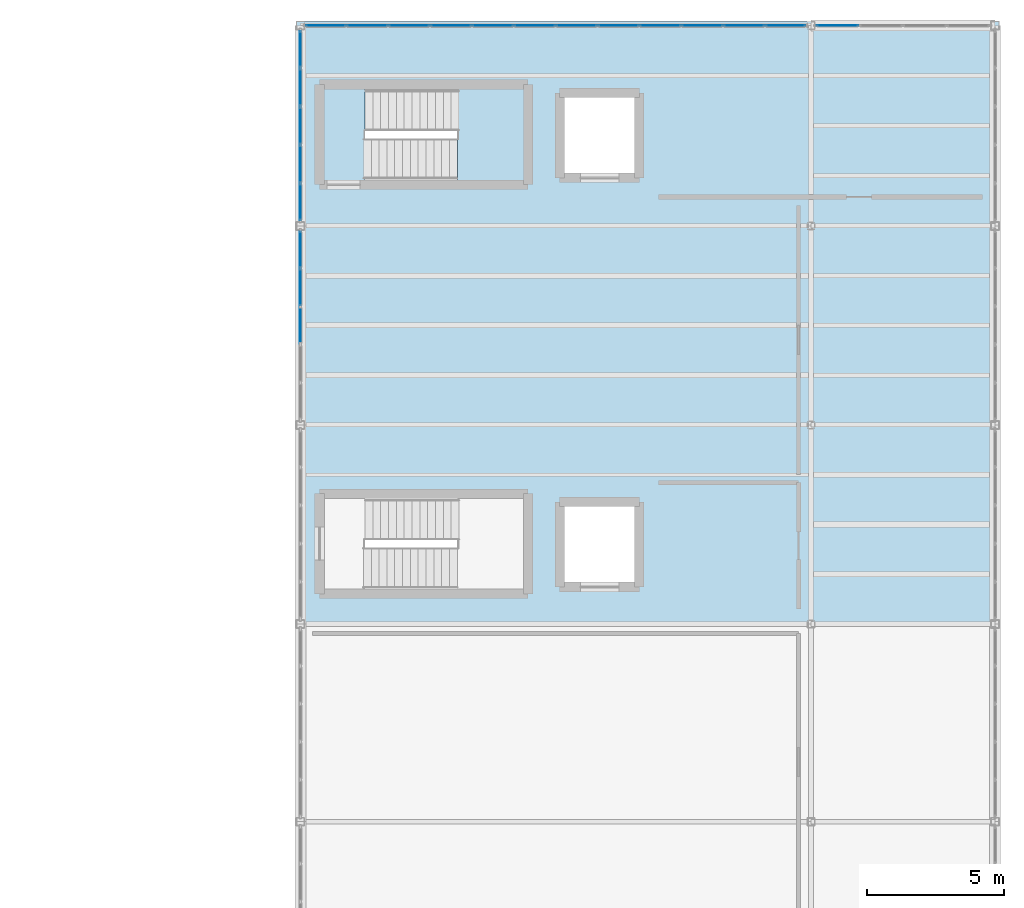
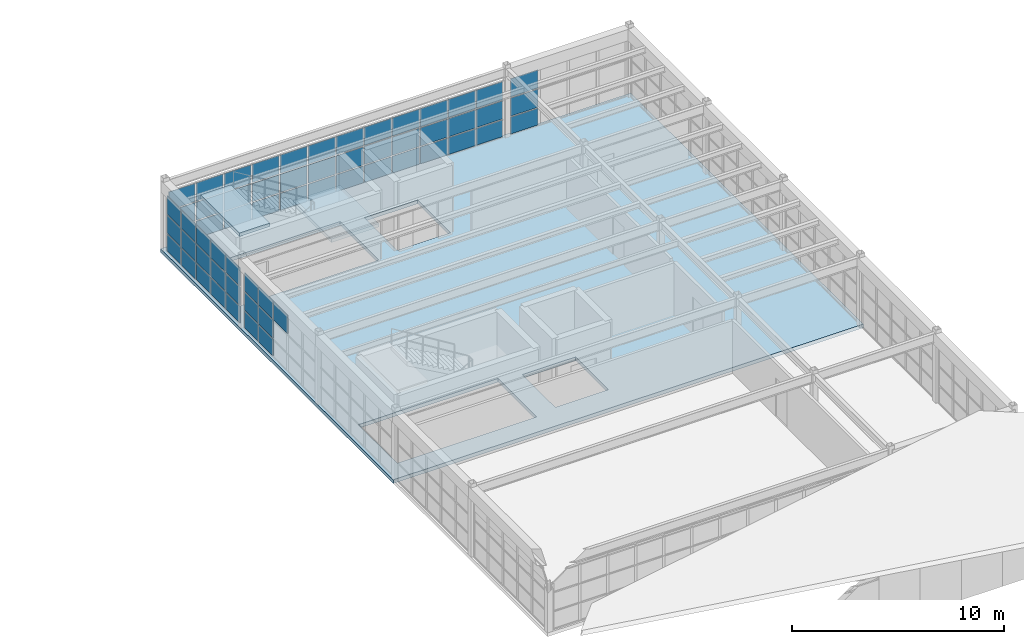
# One storey, part 40 of 52: 61 plates, 3 slabs, 5 elements without a shape of their own.
"""IFC4 building model written with IfcOpenShell, lengths in metres."""

from ifc_helpers import new_model, si_unit, direction, frame, origin, origin_2d, place, context, subcontext, project, spatial, polyline, rectangle, outline, extrude, material, layer, layer_set, type_object, element, aggregate, save


model = new_model("IFC4")

# Units and contexts
model_context = context("Model", 3, precision=1e-05, world=origin(), true_north=direction((0.0, 1.0)))
body_context = subcontext(model_context, "Body", "Model", "MODEL_VIEW")
ifc_project = project(units=[si_unit("LENGTHUNIT", "METRE"), si_unit("AREAUNIT", "SQUARE_METRE"), si_unit("VOLUMEUNIT", "CUBIC_METRE"), si_unit("PLANEANGLEUNIT", "RADIAN"), si_unit("MASSUNIT", "GRAM", prefix="KILO")], contexts=[model_context])

# Site, building, storey
site_placement = place(None, origin())
site = spatial("IfcSite", under=ifc_project, at=site_placement, CompositionType="ELEMENT")
building_placement = place(site_placement, origin())
building = spatial("IfcBuilding", under=site, at=building_placement, Name="Candilejo Ridge Gondola Terminal", CompositionType="ELEMENT")
storey_placement = place(building_placement, frame((0.0, 0.0, 18.60009765625)))
storey = spatial("IfcBuildingStorey", under=building, at=storey_placement, Name="L04", CompositionType="ELEMENT", Elevation=18.60009765625)

# Curtain wall, plates
ifc_material_1 = material(Name="Anodised aluminium AA 6063-T6", Category="aluminium")
ifc_layer_1 = layer(ifc_material_1, 0.169921875)
ifc_layer_set_1 = layer_set([ifc_layer_1], Name="ARC-CW-TOWER-3000-695X329")
curtain_wall_type_1 = type_object("IfcCurtainWallType", Name="ARC-CW-TOWER-3000-695X329", PredefinedType="NOTDEFINED", material=ifc_layer_set_1)
curtain_wall_1_placement = place(storey_placement, origin())
curtain_wall_1 = element("IfcCurtainWall", 1, at=curtain_wall_1_placement, inside=storey, type_object=curtain_wall_type_1, Name="Curtain wall V5 L04-218", PredefinedType="NOTDEFINED")
ifc_material_2 = material(Name="Low-E laminated double glazing 6+12A+6+1.52PVB+6 mm", Category="glass")
ifc_layer_2 = layer(ifc_material_2, 0.028076171875)
ifc_layer_set_2 = layer_set([ifc_layer_2], Name="ARC-CW-GLAZ-PANEL")
plate_type = type_object("IfcPlateType", Name="ARC-CW-GLAZ-PANEL", PredefinedType="CURTAIN_PANEL", material=ifc_layer_set_2)
plate_1_placement = place(storey_placement, frame((150.0, 109.925048828125, 2.1796875), z_axis=(0.0, 0.0, 1.0), x_axis=(0.0, 1.0, 0.0)))
plate_1 = element("IfcPlate", 2, at=plate_1_placement, type_object=plate_type, Name="CW-69X32 panel 3.3", PredefinedType="CURTAIN_PANEL", context=body_context, shape_type="SweptSolid", body=[
    extrude(rectangle(XDim=1.324951171875, YDim=0.028076171875, at=origin_2d()), origin(), (0.0, 0.0, 1.0), 1.050048828125),
])
plate_2_placement = place(storey_placement, frame((150.0, 111.31494140625, 0.059814453125), z_axis=(0.0, 0.0, 1.0), x_axis=(0.0, 1.0, 0.0)))
plate_2 = element("IfcPlate", 3, at=plate_2_placement, type_object=plate_type, Name="CW-69X32 panel 4.1", PredefinedType="CURTAIN_PANEL", context=body_context, shape_type="SweptSolid", body=[
    extrude(rectangle(XDim=1.324951171875, YDim=0.028076171875, at=origin_2d()), origin(), (0.0, 0.0, 1.0), 0.9599609375),
])
plate_3_placement = place(storey_placement, frame((150.0, 111.31494140625, 1.079833984375), z_axis=(0.0, 0.0, 1.0), x_axis=(0.0, 1.0, 0.0)))
plate_3 = element("IfcPlate", 4, at=plate_3_placement, type_object=plate_type, Name="CW-69X32 panel 4.2", PredefinedType="CURTAIN_PANEL", context=body_context, shape_type="SweptSolid", body=[
    extrude(rectangle(XDim=1.324951171875, YDim=0.028076171875, at=origin_2d()), origin(), (0.0, 0.0, 1.0), 1.0400390625),
])
plate_4_placement = place(storey_placement, frame((150.0, 111.31494140625, 2.1796875), z_axis=(0.0, 0.0, 1.0), x_axis=(0.0, 1.0, 0.0)))
plate_4 = element("IfcPlate", 5, at=plate_4_placement, type_object=plate_type, Name="CW-69X32 panel 4.3", PredefinedType="CURTAIN_PANEL", context=body_context, shape_type="SweptSolid", body=[
    extrude(rectangle(XDim=1.324951171875, YDim=0.028076171875, at=origin_2d()), origin(), (0.0, 0.0, 1.0), 1.050048828125),
])
plate_5_placement = place(storey_placement, frame((150.0, 112.688720703125, 0.059814453125), z_axis=(0.0, 0.0, 1.0), x_axis=(0.0, 1.0, 0.0)))
plate_5 = element("IfcPlate", 6, at=plate_5_placement, type_object=plate_type, Name="CW-69X32 panel 5.1", PredefinedType="CURTAIN_PANEL", context=body_context, shape_type="SweptSolid", body=[
    extrude(rectangle(XDim=1.29248046875, YDim=0.028076171875, at=origin_2d()), origin(), (0.0, 0.0, 1.0), 0.9599609375),
])
plate_6_placement = place(storey_placement, frame((150.0, 112.688720703125, 1.079833984375), z_axis=(0.0, 0.0, 1.0), x_axis=(0.0, 1.0, 0.0)))
plate_6 = element("IfcPlate", 7, at=plate_6_placement, type_object=plate_type, Name="CW-69X32 panel 5.2", PredefinedType="CURTAIN_PANEL", context=body_context, shape_type="SweptSolid", body=[
    extrude(rectangle(XDim=1.29248046875, YDim=0.028076171875, at=origin_2d()), origin(), (0.0, 0.0, 1.0), 1.0400390625),
])
plate_7_placement = place(storey_placement, frame((150.0, 112.688720703125, 2.1796875), z_axis=(0.0, 0.0, 1.0), x_axis=(0.0, 1.0, 0.0)))
plate_7 = element("IfcPlate", 8, at=plate_7_placement, type_object=plate_type, Name="CW-69X32 panel 5.3", PredefinedType="CURTAIN_PANEL", context=body_context, shape_type="SweptSolid", body=[
    extrude(rectangle(XDim=1.29248046875, YDim=0.028076171875, at=origin_2d()), origin(), (0.0, 0.0, 1.0), 1.050048828125),
])
aggregate(curtain_wall_1, [plate_1, plate_2, plate_3, plate_4, plate_5, plate_6, plate_7])

ifc_material_3 = material(Name="Anodised aluminium AA 6063-T6", Category="aluminium")
ifc_layer_3 = layer(ifc_material_3, 0.169921875)
ifc_layer_set_3 = layer_set([ifc_layer_3], Name="ARC-CW-TOWER-3000-700X329")
curtain_wall_type_2 = type_object("IfcCurtainWallType", Name="ARC-CW-TOWER-3000-700X329", PredefinedType="NOTDEFINED", material=ifc_layer_set_3)
curtain_wall_2_placement = place(storey_placement, origin())
curtain_wall_2 = element("IfcCurtainWall", 9, at=curtain_wall_2_placement, inside=storey, type_object=curtain_wall_type_2, Name="Curtain wall V5 L04-220", PredefinedType="NOTDEFINED")
plate_8_placement = place(storey_placement, frame((150.0, 114.416259765625, 0.059814453125), z_axis=(0.0, 0.0, 1.0), x_axis=(0.0, 1.0, 0.0)))
plate_8 = element("IfcPlate", 10, at=plate_8_placement, type_object=plate_type, Name="CW-70X32 panel 1.1", PredefinedType="CURTAIN_PANEL", context=body_context, shape_type="SweptSolid", body=[
    extrude(rectangle(XDim=1.302490234375, YDim=0.028076171875, at=origin_2d()), origin(), (0.0, 0.0, 1.0), 0.9599609375),
])
plate_9_placement = place(storey_placement, frame((150.0, 114.416259765625, 1.079833984375), z_axis=(0.0, 0.0, 1.0), x_axis=(0.0, 1.0, 0.0)))
plate_9 = element("IfcPlate", 11, at=plate_9_placement, type_object=plate_type, Name="CW-70X32 panel 1.2", PredefinedType="CURTAIN_PANEL", context=body_context, shape_type="SweptSolid", body=[
    extrude(rectangle(XDim=1.302490234375, YDim=0.028076171875, at=origin_2d()), origin(), (0.0, 0.0, 1.0), 1.0400390625),
])
plate_10_placement = place(storey_placement, frame((150.0, 114.416259765625, 2.1796875), z_axis=(0.0, 0.0, 1.0), x_axis=(0.0, 1.0, 0.0)))
plate_10 = element("IfcPlate", 12, at=plate_10_placement, type_object=plate_type, Name="CW-70X32 panel 1.3", PredefinedType="CURTAIN_PANEL", context=body_context, shape_type="SweptSolid", body=[
    extrude(rectangle(XDim=1.302490234375, YDim=0.028076171875, at=origin_2d()), origin(), (0.0, 0.0, 1.0), 1.050048828125),
])
plate_11_placement = place(storey_placement, frame((150.0, 115.800048828125, 0.059814453125), z_axis=(0.0, 0.0, 1.0), x_axis=(0.0, 1.0, 0.0)))
plate_11 = element("IfcPlate", 13, at=plate_11_placement, type_object=plate_type, Name="CW-70X32 panel 2.1", PredefinedType="CURTAIN_PANEL", context=body_context, shape_type="SweptSolid", body=[
    extrude(rectangle(XDim=1.3349609375, YDim=0.028076171875, at=origin_2d()), origin(), (0.0, 0.0, 1.0), 0.9599609375),
])
plate_12_placement = place(storey_placement, frame((150.0, 115.800048828125, 1.079833984375), z_axis=(0.0, 0.0, 1.0), x_axis=(0.0, 1.0, 0.0)))
plate_12 = element("IfcPlate", 14, at=plate_12_placement, type_object=plate_type, Name="CW-70X32 panel 2.2", PredefinedType="CURTAIN_PANEL", context=body_context, shape_type="SweptSolid", body=[
    extrude(rectangle(XDim=1.3349609375, YDim=0.028076171875, at=origin_2d()), origin(), (0.0, 0.0, 1.0), 1.0400390625),
])
plate_13_placement = place(storey_placement, frame((150.0, 115.800048828125, 2.1796875), z_axis=(0.0, 0.0, 1.0), x_axis=(0.0, 1.0, 0.0)))
plate_13 = element("IfcPlate", 15, at=plate_13_placement, type_object=plate_type, Name="CW-70X32 panel 2.3", PredefinedType="CURTAIN_PANEL", context=body_context, shape_type="SweptSolid", body=[
    extrude(rectangle(XDim=1.3349609375, YDim=0.028076171875, at=origin_2d()), origin(), (0.0, 0.0, 1.0), 1.050048828125),
])
plate_14_placement = place(storey_placement, frame((150.0, 117.199951171875, 0.059814453125), z_axis=(0.0, 0.0, 1.0), x_axis=(0.0, 1.0, 0.0)))
plate_14 = element("IfcPlate", 16, at=plate_14_placement, type_object=plate_type, Name="CW-70X32 panel 3.1", PredefinedType="CURTAIN_PANEL", context=body_context, shape_type="SweptSolid", body=[
    extrude(rectangle(XDim=1.3349609375, YDim=0.028076171875, at=origin_2d()), origin(), (0.0, 0.0, 1.0), 0.9599609375),
])
plate_15_placement = place(storey_placement, frame((150.0, 117.199951171875, 1.079833984375), z_axis=(0.0, 0.0, 1.0), x_axis=(0.0, 1.0, 0.0)))
plate_15 = element("IfcPlate", 17, at=plate_15_placement, type_object=plate_type, Name="CW-70X32 panel 3.2", PredefinedType="CURTAIN_PANEL", context=body_context, shape_type="SweptSolid", body=[
    extrude(rectangle(XDim=1.3349609375, YDim=0.028076171875, at=origin_2d()), origin(), (0.0, 0.0, 1.0), 1.0400390625),
])
plate_16_placement = place(storey_placement, frame((150.0, 117.199951171875, 2.1796875), z_axis=(0.0, 0.0, 1.0), x_axis=(0.0, 1.0, 0.0)))
plate_16 = element("IfcPlate", 18, at=plate_16_placement, type_object=plate_type, Name="CW-70X32 panel 3.3", PredefinedType="CURTAIN_PANEL", context=body_context, shape_type="SweptSolid", body=[
    extrude(rectangle(XDim=1.3349609375, YDim=0.028076171875, at=origin_2d()), origin(), (0.0, 0.0, 1.0), 1.050048828125),
])
plate_17_placement = place(storey_placement, frame((150.0, 118.60009765625, 0.059814453125), z_axis=(0.0, 0.0, 1.0), x_axis=(0.0, 1.0, 0.0)))
plate_17 = element("IfcPlate", 19, at=plate_17_placement, type_object=plate_type, Name="CW-70X32 panel 4.1", PredefinedType="CURTAIN_PANEL", context=body_context, shape_type="SweptSolid", body=[
    extrude(rectangle(XDim=1.3349609375, YDim=0.028076171875, at=origin_2d()), origin(), (0.0, 0.0, 1.0), 0.9599609375),
])
plate_18_placement = place(storey_placement, frame((150.0, 118.60009765625, 1.079833984375), z_axis=(0.0, 0.0, 1.0), x_axis=(0.0, 1.0, 0.0)))
plate_18 = element("IfcPlate", 20, at=plate_18_placement, type_object=plate_type, Name="CW-70X32 panel 4.2", PredefinedType="CURTAIN_PANEL", context=body_context, shape_type="SweptSolid", body=[
    extrude(rectangle(XDim=1.3349609375, YDim=0.028076171875, at=origin_2d()), origin(), (0.0, 0.0, 1.0), 1.0400390625),
])
plate_19_placement = place(storey_placement, frame((150.0, 118.60009765625, 2.1796875), z_axis=(0.0, 0.0, 1.0), x_axis=(0.0, 1.0, 0.0)))
plate_19 = element("IfcPlate", 21, at=plate_19_placement, type_object=plate_type, Name="CW-70X32 panel 4.3", PredefinedType="CURTAIN_PANEL", context=body_context, shape_type="SweptSolid", body=[
    extrude(rectangle(XDim=1.3349609375, YDim=0.028076171875, at=origin_2d()), origin(), (0.0, 0.0, 1.0), 1.050048828125),
])
plate_20_placement = place(storey_placement, frame((150.0, 119.983642578125, 0.059814453125), z_axis=(0.0, 0.0, 1.0), x_axis=(0.0, 1.0, 0.0)))
plate_20 = element("IfcPlate", 22, at=plate_20_placement, type_object=plate_type, Name="CW-70X32 panel 5.1", PredefinedType="CURTAIN_PANEL", context=body_context, shape_type="SweptSolid", body=[
    extrude(rectangle(XDim=1.302490234375, YDim=0.028076171875, at=origin_2d()), origin(), (0.0, 0.0, 1.0), 0.9599609375),
])
plate_21_placement = place(storey_placement, frame((150.0, 119.983642578125, 1.079833984375), z_axis=(0.0, 0.0, 1.0), x_axis=(0.0, 1.0, 0.0)))
plate_21 = element("IfcPlate", 23, at=plate_21_placement, type_object=plate_type, Name="CW-70X32 panel 5.2", PredefinedType="CURTAIN_PANEL", context=body_context, shape_type="SweptSolid", body=[
    extrude(rectangle(XDim=1.302490234375, YDim=0.028076171875, at=origin_2d()), origin(), (0.0, 0.0, 1.0), 1.0400390625),
])
plate_22_placement = place(storey_placement, frame((150.0, 119.983642578125, 2.1796875), z_axis=(0.0, 0.0, 1.0), x_axis=(0.0, 1.0, 0.0)))
plate_22 = element("IfcPlate", 24, at=plate_22_placement, type_object=plate_type, Name="CW-70X32 panel 5.3", PredefinedType="CURTAIN_PANEL", context=body_context, shape_type="SweptSolid", body=[
    extrude(rectangle(XDim=1.302490234375, YDim=0.028076171875, at=origin_2d()), origin(), (0.0, 0.0, 1.0), 1.050048828125),
])
aggregate(curtain_wall_2, [plate_8, plate_9, plate_10, plate_11, plate_12, plate_13, plate_14, plate_15, plate_16, plate_17, plate_18, plate_19, plate_20, plate_21, plate_22])

ifc_material_4 = material(Name="Anodised aluminium AA 6063-T6", Category="aluminium")
ifc_layer_4 = layer(ifc_material_4, 0.169921875)
ifc_layer_set_4 = layer_set([ifc_layer_4], Name="ARC-CW-TOWER-3000-1830X329")
curtain_wall_type_3 = type_object("IfcCurtainWallType", Name="ARC-CW-TOWER-3000-1830X329", PredefinedType="NOTDEFINED", material=ifc_layer_set_4)
curtain_wall_3_placement = place(storey_placement, origin())
curtain_wall_3 = element("IfcCurtainWall", 25, at=curtain_wall_3_placement, inside=storey, type_object=curtain_wall_type_3, Name="Curtain wall V5 L04-223", PredefinedType="NOTDEFINED")
plate_23_placement = place(storey_placement, frame((150.9287109375, 120.85009765625, 0.059814453125), z_axis=(0.0, 0.0, 1.0), x_axis=(1.0, 0.0, 0.0)))
plate_23 = element("IfcPlate", 26, at=plate_23_placement, type_object=plate_type, Name="CW-183X32 panel 1.1", PredefinedType="CURTAIN_PANEL", context=body_context, shape_type="SweptSolid", body=[
    extrude(rectangle(XDim=1.427490234375, YDim=0.028076171875, at=origin_2d()), origin(), (0.0, 0.0, 1.0), 0.9599609375),
])
plate_24_placement = place(storey_placement, frame((150.9287109375, 120.85009765625, 1.079833984375), z_axis=(0.0, 0.0, 1.0), x_axis=(1.0, 0.0, 0.0)))
plate_24 = element("IfcPlate", 27, at=plate_24_placement, type_object=plate_type, Name="CW-183X32 panel 1.2", PredefinedType="CURTAIN_PANEL", context=body_context, shape_type="SweptSolid", body=[
    extrude(rectangle(XDim=1.427490234375, YDim=0.028076171875, at=origin_2d()), origin(), (0.0, 0.0, 1.0), 1.0400390625),
])
plate_25_placement = place(storey_placement, frame((150.9287109375, 120.85009765625, 2.1796875), z_axis=(0.0, 0.0, 1.0), x_axis=(1.0, 0.0, 0.0)))
plate_25 = element("IfcPlate", 28, at=plate_25_placement, type_object=plate_type, Name="CW-183X32 panel 1.3", PredefinedType="CURTAIN_PANEL", context=body_context, shape_type="SweptSolid", body=[
    extrude(rectangle(XDim=1.427490234375, YDim=0.028076171875, at=origin_2d()), origin(), (0.0, 0.0, 1.0), 1.050048828125),
])
plate_26_placement = place(storey_placement, frame((152.4375, 120.85009765625, 0.059814453125), z_axis=(0.0, 0.0, 1.0), x_axis=(1.0, 0.0, 0.0)))
plate_26 = element("IfcPlate", 29, at=plate_26_placement, type_object=plate_type, Name="CW-183X32 panel 2.1", PredefinedType="CURTAIN_PANEL", context=body_context, shape_type="SweptSolid", body=[
    extrude(rectangle(XDim=1.4599609375, YDim=0.028076171875, at=origin_2d()), origin(), (0.0, 0.0, 1.0), 0.9599609375),
])
plate_27_placement = place(storey_placement, frame((152.4375, 120.85009765625, 1.079833984375), z_axis=(0.0, 0.0, 1.0), x_axis=(1.0, 0.0, 0.0)))
plate_27 = element("IfcPlate", 30, at=plate_27_placement, type_object=plate_type, Name="CW-183X32 panel 2.2", PredefinedType="CURTAIN_PANEL", context=body_context, shape_type="SweptSolid", body=[
    extrude(rectangle(XDim=1.4599609375, YDim=0.028076171875, at=origin_2d()), origin(), (0.0, 0.0, 1.0), 1.0400390625),
])
plate_28_placement = place(storey_placement, frame((152.4375, 120.85009765625, 2.1796875), z_axis=(0.0, 0.0, 1.0), x_axis=(1.0, 0.0, 0.0)))
plate_28 = element("IfcPlate", 31, at=plate_28_placement, type_object=plate_type, Name="CW-183X32 panel 2.3", PredefinedType="CURTAIN_PANEL", context=body_context, shape_type="SweptSolid", body=[
    extrude(rectangle(XDim=1.4599609375, YDim=0.028076171875, at=origin_2d()), origin(), (0.0, 0.0, 1.0), 1.050048828125),
])
plate_29_placement = place(storey_placement, frame((153.96240234375, 120.85009765625, 0.059814453125), z_axis=(0.0, 0.0, 1.0), x_axis=(1.0, 0.0, 0.0)))
plate_29 = element("IfcPlate", 32, at=plate_29_placement, type_object=plate_type, Name="CW-183X32 panel 3.1", PredefinedType="CURTAIN_PANEL", context=body_context, shape_type="SweptSolid", body=[
    extrude(rectangle(XDim=1.4599609375, YDim=0.028076171875, at=origin_2d()), origin(), (0.0, 0.0, 1.0), 0.9599609375),
])
plate_30_placement = place(storey_placement, frame((153.96240234375, 120.85009765625, 1.079833984375), z_axis=(0.0, 0.0, 1.0), x_axis=(1.0, 0.0, 0.0)))
plate_30 = element("IfcPlate", 33, at=plate_30_placement, type_object=plate_type, Name="CW-183X32 panel 3.2", PredefinedType="CURTAIN_PANEL", context=body_context, shape_type="SweptSolid", body=[
    extrude(rectangle(XDim=1.4599609375, YDim=0.028076171875, at=origin_2d()), origin(), (0.0, 0.0, 1.0), 1.0400390625),
])
plate_31_placement = place(storey_placement, frame((153.96240234375, 120.85009765625, 2.1796875), z_axis=(0.0, 0.0, 1.0), x_axis=(1.0, 0.0, 0.0)))
plate_31 = element("IfcPlate", 34, at=plate_31_placement, type_object=plate_type, Name="CW-183X32 panel 3.3", PredefinedType="CURTAIN_PANEL", context=body_context, shape_type="SweptSolid", body=[
    extrude(rectangle(XDim=1.4599609375, YDim=0.028076171875, at=origin_2d()), origin(), (0.0, 0.0, 1.0), 1.050048828125),
])
plate_32_placement = place(storey_placement, frame((155.487548828125, 120.85009765625, 0.059814453125), z_axis=(0.0, 0.0, 1.0), x_axis=(1.0, 0.0, 0.0)))
plate_32 = element("IfcPlate", 35, at=plate_32_placement, type_object=plate_type, Name="CW-183X32 panel 4.1", PredefinedType="CURTAIN_PANEL", context=body_context, shape_type="SweptSolid", body=[
    extrude(rectangle(XDim=1.4599609375, YDim=0.028076171875, at=origin_2d()), origin(), (0.0, 0.0, 1.0), 0.9599609375),
])
plate_33_placement = place(storey_placement, frame((155.487548828125, 120.85009765625, 1.079833984375), z_axis=(0.0, 0.0, 1.0), x_axis=(1.0, 0.0, 0.0)))
plate_33 = element("IfcPlate", 36, at=plate_33_placement, type_object=plate_type, Name="CW-183X32 panel 4.2", PredefinedType="CURTAIN_PANEL", context=body_context, shape_type="SweptSolid", body=[
    extrude(rectangle(XDim=1.4599609375, YDim=0.028076171875, at=origin_2d()), origin(), (0.0, 0.0, 1.0), 1.0400390625),
])
plate_34_placement = place(storey_placement, frame((155.487548828125, 120.85009765625, 2.1796875), z_axis=(0.0, 0.0, 1.0), x_axis=(1.0, 0.0, 0.0)))
plate_34 = element("IfcPlate", 37, at=plate_34_placement, type_object=plate_type, Name="CW-183X32 panel 4.3", PredefinedType="CURTAIN_PANEL", context=body_context, shape_type="SweptSolid", body=[
    extrude(rectangle(XDim=1.4599609375, YDim=0.028076171875, at=origin_2d()), origin(), (0.0, 0.0, 1.0), 1.050048828125),
])
plate_35_placement = place(storey_placement, frame((157.012451171875, 120.85009765625, 0.059814453125), z_axis=(0.0, 0.0, 1.0), x_axis=(1.0, 0.0, 0.0)))
plate_35 = element("IfcPlate", 38, at=plate_35_placement, type_object=plate_type, Name="CW-183X32 panel 5.1", PredefinedType="CURTAIN_PANEL", context=body_context, shape_type="SweptSolid", body=[
    extrude(rectangle(XDim=1.4599609375, YDim=0.028076171875, at=origin_2d()), origin(), (0.0, 0.0, 1.0), 0.9599609375),
])
plate_36_placement = place(storey_placement, frame((157.012451171875, 120.85009765625, 1.079833984375), z_axis=(0.0, 0.0, 1.0), x_axis=(1.0, 0.0, 0.0)))
plate_36 = element("IfcPlate", 39, at=plate_36_placement, type_object=plate_type, Name="CW-183X32 panel 5.2", PredefinedType="CURTAIN_PANEL", context=body_context, shape_type="SweptSolid", body=[
    extrude(rectangle(XDim=1.4599609375, YDim=0.028076171875, at=origin_2d()), origin(), (0.0, 0.0, 1.0), 1.0400390625),
])
plate_37_placement = place(storey_placement, frame((157.012451171875, 120.85009765625, 2.1796875), z_axis=(0.0, 0.0, 1.0), x_axis=(1.0, 0.0, 0.0)))
plate_37 = element("IfcPlate", 40, at=plate_37_placement, type_object=plate_type, Name="CW-183X32 panel 5.3", PredefinedType="CURTAIN_PANEL", context=body_context, shape_type="SweptSolid", body=[
    extrude(rectangle(XDim=1.4599609375, YDim=0.028076171875, at=origin_2d()), origin(), (0.0, 0.0, 1.0), 1.050048828125),
])
plate_38_placement = place(storey_placement, frame((158.53759765625, 120.85009765625, 0.059814453125), z_axis=(0.0, 0.0, 1.0), x_axis=(1.0, 0.0, 0.0)))
plate_38 = element("IfcPlate", 41, at=plate_38_placement, type_object=plate_type, Name="CW-183X32 panel 6.1", PredefinedType="CURTAIN_PANEL", context=body_context, shape_type="SweptSolid", body=[
    extrude(rectangle(XDim=1.4599609375, YDim=0.028076171875, at=origin_2d()), origin(), (0.0, 0.0, 1.0), 0.9599609375),
])
plate_39_placement = place(storey_placement, frame((158.53759765625, 120.85009765625, 1.079833984375), z_axis=(0.0, 0.0, 1.0), x_axis=(1.0, 0.0, 0.0)))
plate_39 = element("IfcPlate", 42, at=plate_39_placement, type_object=plate_type, Name="CW-183X32 panel 6.2", PredefinedType="CURTAIN_PANEL", context=body_context, shape_type="SweptSolid", body=[
    extrude(rectangle(XDim=1.4599609375, YDim=0.028076171875, at=origin_2d()), origin(), (0.0, 0.0, 1.0), 1.0400390625),
])
plate_40_placement = place(storey_placement, frame((158.53759765625, 120.85009765625, 2.1796875), z_axis=(0.0, 0.0, 1.0), x_axis=(1.0, 0.0, 0.0)))
plate_40 = element("IfcPlate", 43, at=plate_40_placement, type_object=plate_type, Name="CW-183X32 panel 6.3", PredefinedType="CURTAIN_PANEL", context=body_context, shape_type="SweptSolid", body=[
    extrude(rectangle(XDim=1.4599609375, YDim=0.028076171875, at=origin_2d()), origin(), (0.0, 0.0, 1.0), 1.050048828125),
])
plate_41_placement = place(storey_placement, frame((160.0625, 120.85009765625, 0.059814453125), z_axis=(0.0, 0.0, 1.0), x_axis=(1.0, 0.0, 0.0)))
plate_41 = element("IfcPlate", 44, at=plate_41_placement, type_object=plate_type, Name="CW-183X32 panel 7.1", PredefinedType="CURTAIN_PANEL", context=body_context, shape_type="SweptSolid", body=[
    extrude(rectangle(XDim=1.4599609375, YDim=0.028076171875, at=origin_2d()), origin(), (0.0, 0.0, 1.0), 0.9599609375),
])
plate_42_placement = place(storey_placement, frame((160.0625, 120.85009765625, 1.079833984375), z_axis=(0.0, 0.0, 1.0), x_axis=(1.0, 0.0, 0.0)))
plate_42 = element("IfcPlate", 45, at=plate_42_placement, type_object=plate_type, Name="CW-183X32 panel 7.2", PredefinedType="CURTAIN_PANEL", context=body_context, shape_type="SweptSolid", body=[
    extrude(rectangle(XDim=1.4599609375, YDim=0.028076171875, at=origin_2d()), origin(), (0.0, 0.0, 1.0), 1.0400390625),
])
plate_43_placement = place(storey_placement, frame((160.0625, 120.85009765625, 2.1796875), z_axis=(0.0, 0.0, 1.0), x_axis=(1.0, 0.0, 0.0)))
plate_43 = element("IfcPlate", 46, at=plate_43_placement, type_object=plate_type, Name="CW-183X32 panel 7.3", PredefinedType="CURTAIN_PANEL", context=body_context, shape_type="SweptSolid", body=[
    extrude(rectangle(XDim=1.4599609375, YDim=0.028076171875, at=origin_2d()), origin(), (0.0, 0.0, 1.0), 1.050048828125),
])
plate_44_placement = place(storey_placement, frame((161.58740234375, 120.85009765625, 0.059814453125), z_axis=(0.0, 0.0, 1.0), x_axis=(1.0, 0.0, 0.0)))
plate_44 = element("IfcPlate", 47, at=plate_44_placement, type_object=plate_type, Name="CW-183X32 panel 8.1", PredefinedType="CURTAIN_PANEL", context=body_context, shape_type="SweptSolid", body=[
    extrude(rectangle(XDim=1.4599609375, YDim=0.028076171875, at=origin_2d()), origin(), (0.0, 0.0, 1.0), 0.9599609375),
])
plate_45_placement = place(storey_placement, frame((161.58740234375, 120.85009765625, 1.079833984375), z_axis=(0.0, 0.0, 1.0), x_axis=(1.0, 0.0, 0.0)))
plate_45 = element("IfcPlate", 48, at=plate_45_placement, type_object=plate_type, Name="CW-183X32 panel 8.2", PredefinedType="CURTAIN_PANEL", context=body_context, shape_type="SweptSolid", body=[
    extrude(rectangle(XDim=1.4599609375, YDim=0.028076171875, at=origin_2d()), origin(), (0.0, 0.0, 1.0), 1.0400390625),
])
plate_46_placement = place(storey_placement, frame((161.58740234375, 120.85009765625, 2.1796875), z_axis=(0.0, 0.0, 1.0), x_axis=(1.0, 0.0, 0.0)))
plate_46 = element("IfcPlate", 49, at=plate_46_placement, type_object=plate_type, Name="CW-183X32 panel 8.3", PredefinedType="CURTAIN_PANEL", context=body_context, shape_type="SweptSolid", body=[
    extrude(rectangle(XDim=1.4599609375, YDim=0.028076171875, at=origin_2d()), origin(), (0.0, 0.0, 1.0), 1.050048828125),
])
plate_47_placement = place(storey_placement, frame((163.112548828125, 120.85009765625, 0.059814453125), z_axis=(0.0, 0.0, 1.0), x_axis=(1.0, 0.0, 0.0)))
plate_47 = element("IfcPlate", 50, at=plate_47_placement, type_object=plate_type, Name="CW-183X32 panel 9.1", PredefinedType="CURTAIN_PANEL", context=body_context, shape_type="SweptSolid", body=[
    extrude(rectangle(XDim=1.4599609375, YDim=0.028076171875, at=origin_2d()), origin(), (0.0, 0.0, 1.0), 0.9599609375),
])
plate_48_placement = place(storey_placement, frame((163.112548828125, 120.85009765625, 1.079833984375), z_axis=(0.0, 0.0, 1.0), x_axis=(1.0, 0.0, 0.0)))
plate_48 = element("IfcPlate", 51, at=plate_48_placement, type_object=plate_type, Name="CW-183X32 panel 9.2", PredefinedType="CURTAIN_PANEL", context=body_context, shape_type="SweptSolid", body=[
    extrude(rectangle(XDim=1.4599609375, YDim=0.028076171875, at=origin_2d()), origin(), (0.0, 0.0, 1.0), 1.0400390625),
])
plate_49_placement = place(storey_placement, frame((163.112548828125, 120.85009765625, 2.1796875), z_axis=(0.0, 0.0, 1.0), x_axis=(1.0, 0.0, 0.0)))
plate_49 = element("IfcPlate", 52, at=plate_49_placement, type_object=plate_type, Name="CW-183X32 panel 9.3", PredefinedType="CURTAIN_PANEL", context=body_context, shape_type="SweptSolid", body=[
    extrude(rectangle(XDim=1.4599609375, YDim=0.028076171875, at=origin_2d()), origin(), (0.0, 0.0, 1.0), 1.050048828125),
])
plate_50_placement = place(storey_placement, frame((164.637451171875, 120.85009765625, 0.059814453125), z_axis=(0.0, 0.0, 1.0), x_axis=(1.0, 0.0, 0.0)))
plate_50 = element("IfcPlate", 53, at=plate_50_placement, type_object=plate_type, Name="CW-183X32 panel 10.1", PredefinedType="CURTAIN_PANEL", context=body_context, shape_type="SweptSolid", body=[
    extrude(rectangle(XDim=1.4599609375, YDim=0.028076171875, at=origin_2d()), origin(), (0.0, 0.0, 1.0), 0.9599609375),
])
plate_51_placement = place(storey_placement, frame((164.637451171875, 120.85009765625, 1.079833984375), z_axis=(0.0, 0.0, 1.0), x_axis=(1.0, 0.0, 0.0)))
plate_51 = element("IfcPlate", 54, at=plate_51_placement, type_object=plate_type, Name="CW-183X32 panel 10.2", PredefinedType="CURTAIN_PANEL", context=body_context, shape_type="SweptSolid", body=[
    extrude(rectangle(XDim=1.4599609375, YDim=0.028076171875, at=origin_2d()), origin(), (0.0, 0.0, 1.0), 1.0400390625),
])
plate_52_placement = place(storey_placement, frame((164.637451171875, 120.85009765625, 2.1796875), z_axis=(0.0, 0.0, 1.0), x_axis=(1.0, 0.0, 0.0)))
plate_52 = element("IfcPlate", 55, at=plate_52_placement, type_object=plate_type, Name="CW-183X32 panel 10.3", PredefinedType="CURTAIN_PANEL", context=body_context, shape_type="SweptSolid", body=[
    extrude(rectangle(XDim=1.4599609375, YDim=0.028076171875, at=origin_2d()), origin(), (0.0, 0.0, 1.0), 1.050048828125),
])
plate_53_placement = place(storey_placement, frame((166.16259765625, 120.85009765625, 0.059814453125), z_axis=(0.0, 0.0, 1.0), x_axis=(1.0, 0.0, 0.0)))
plate_53 = element("IfcPlate", 56, at=plate_53_placement, type_object=plate_type, Name="CW-183X32 panel 11.1", PredefinedType="CURTAIN_PANEL", context=body_context, shape_type="SweptSolid", body=[
    extrude(rectangle(XDim=1.4599609375, YDim=0.028076171875, at=origin_2d()), origin(), (0.0, 0.0, 1.0), 0.9599609375),
])
plate_54_placement = place(storey_placement, frame((166.16259765625, 120.85009765625, 1.079833984375), z_axis=(0.0, 0.0, 1.0), x_axis=(1.0, 0.0, 0.0)))
plate_54 = element("IfcPlate", 57, at=plate_54_placement, type_object=plate_type, Name="CW-183X32 panel 11.2", PredefinedType="CURTAIN_PANEL", context=body_context, shape_type="SweptSolid", body=[
    extrude(rectangle(XDim=1.4599609375, YDim=0.028076171875, at=origin_2d()), origin(), (0.0, 0.0, 1.0), 1.0400390625),
])
plate_55_placement = place(storey_placement, frame((166.16259765625, 120.85009765625, 2.1796875), z_axis=(0.0, 0.0, 1.0), x_axis=(1.0, 0.0, 0.0)))
plate_55 = element("IfcPlate", 58, at=plate_55_placement, type_object=plate_type, Name="CW-183X32 panel 11.3", PredefinedType="CURTAIN_PANEL", context=body_context, shape_type="SweptSolid", body=[
    extrude(rectangle(XDim=1.4599609375, YDim=0.028076171875, at=origin_2d()), origin(), (0.0, 0.0, 1.0), 1.050048828125),
])
plate_56_placement = place(storey_placement, frame((167.671142578125, 120.85009765625, 0.059814453125), z_axis=(0.0, 0.0, 1.0), x_axis=(1.0, 0.0, 0.0)))
plate_56 = element("IfcPlate", 59, at=plate_56_placement, type_object=plate_type, Name="CW-183X32 panel 12.1", PredefinedType="CURTAIN_PANEL", context=body_context, shape_type="SweptSolid", body=[
    extrude(rectangle(XDim=1.427490234375, YDim=0.028076171875, at=origin_2d()), origin(), (0.0, 0.0, 1.0), 0.9599609375),
])
plate_57_placement = place(storey_placement, frame((167.671142578125, 120.85009765625, 1.079833984375), z_axis=(0.0, 0.0, 1.0), x_axis=(1.0, 0.0, 0.0)))
plate_57 = element("IfcPlate", 60, at=plate_57_placement, type_object=plate_type, Name="CW-183X32 panel 12.2", PredefinedType="CURTAIN_PANEL", context=body_context, shape_type="SweptSolid", body=[
    extrude(rectangle(XDim=1.427490234375, YDim=0.028076171875, at=origin_2d()), origin(), (0.0, 0.0, 1.0), 1.0400390625),
])
plate_58_placement = place(storey_placement, frame((167.671142578125, 120.85009765625, 2.1796875), z_axis=(0.0, 0.0, 1.0), x_axis=(1.0, 0.0, 0.0)))
plate_58 = element("IfcPlate", 61, at=plate_58_placement, type_object=plate_type, Name="CW-183X32 panel 12.3", PredefinedType="CURTAIN_PANEL", context=body_context, shape_type="SweptSolid", body=[
    extrude(rectangle(XDim=1.427490234375, YDim=0.028076171875, at=origin_2d()), origin(), (0.0, 0.0, 1.0), 1.050048828125),
])
aggregate(curtain_wall_3, [plate_23, plate_24, plate_25, plate_26, plate_27, plate_28, plate_29, plate_30, plate_31, plate_32, plate_33, plate_34, plate_35, plate_36, plate_37, plate_38, plate_39, plate_40, plate_41, plate_42, plate_43, plate_44, plate_45, plate_46, plate_47, plate_48, plate_49, plate_50, plate_51, plate_52, plate_53, plate_54, plate_55, plate_56, plate_57, plate_58])

ifc_material_5 = material(Name="Anodised aluminium AA 6063-T6", Category="aluminium")
ifc_layer_5 = layer(ifc_material_5, 0.169921875)
ifc_layer_set_5 = layer_set([ifc_layer_5], Name="ARC-CW-TOWER-3000-640X329")
curtain_wall_type_4 = type_object("IfcCurtainWallType", Name="ARC-CW-TOWER-3000-640X329", PredefinedType="NOTDEFINED", material=ifc_layer_set_5)
curtain_wall_4_placement = place(storey_placement, origin())
curtain_wall_4 = element("IfcCurtainWall", 62, at=curtain_wall_4_placement, inside=storey, type_object=curtain_wall_type_4, Name="Curtain wall V5 L04-225", PredefinedType="NOTDEFINED")
plate_59_placement = place(storey_placement, frame((169.566162109375, 120.85009765625, 0.059814453125), z_axis=(0.0, 0.0, 1.0), x_axis=(1.0, 0.0, 0.0)))
plate_59 = element("IfcPlate", 63, at=plate_59_placement, type_object=plate_type, Name="CW-64X32 panel 1.1", PredefinedType="CURTAIN_PANEL", context=body_context, shape_type="SweptSolid", body=[
    extrude(rectangle(XDim=1.50244140625, YDim=0.028076171875, at=origin_2d()), origin(), (0.0, 0.0, 1.0), 0.9599609375),
])
plate_60_placement = place(storey_placement, frame((169.566162109375, 120.85009765625, 1.079833984375), z_axis=(0.0, 0.0, 1.0), x_axis=(1.0, 0.0, 0.0)))
plate_60 = element("IfcPlate", 64, at=plate_60_placement, type_object=plate_type, Name="CW-64X32 panel 1.2", PredefinedType="CURTAIN_PANEL", context=body_context, shape_type="SweptSolid", body=[
    extrude(rectangle(XDim=1.50244140625, YDim=0.028076171875, at=origin_2d()), origin(), (0.0, 0.0, 1.0), 1.0400390625),
])
plate_61_placement = place(storey_placement, frame((169.566162109375, 120.85009765625, 2.1796875), z_axis=(0.0, 0.0, 1.0), x_axis=(1.0, 0.0, 0.0)))
plate_61 = element("IfcPlate", 65, at=plate_61_placement, type_object=plate_type, Name="CW-64X32 panel 1.3", PredefinedType="CURTAIN_PANEL", context=body_context, shape_type="SweptSolid", body=[
    extrude(rectangle(XDim=1.50244140625, YDim=0.028076171875, at=origin_2d()), origin(), (0.0, 0.0, 1.0), 1.050048828125),
])
aggregate(curtain_wall_4, [plate_59, plate_60, plate_61])

# Slab
ifc_material_6 = material(Name="Concrete f'c 35 MPa (C35/45)", Category="concrete")
ifc_layer_6 = layer(ifc_material_6, 0.2099609375)
ifc_layer_set_6 = layer_set([ifc_layer_6], Name="STR-FLOOR-SLAB-210")
slab_type_1 = type_object("IfcSlabType", Name="STR-FLOOR-SLAB-210", PredefinedType="FLOOR", material=ifc_layer_set_6)
slab_1_placement = place(storey_placement, frame((0.0, 0.0, -0.210205078125)))
element("IfcSlab", 66, at=slab_1_placement, inside=storey, type_object=slab_type_1, Name="Slab SLB-V5-L04-N", PredefinedType="FLOOR", context=body_context, shape_type="SweptSolid", body=[
    extrude(outline(polyline([(149.85009765625, 99.050048828125), (175.449951171875, 99.050048828125), (175.449951171875, 121.0), (149.85009765625, 121.0), (149.85009765625, 99.050048828125)]), holes=[polyline([(150.699951171875, 100.14990234375), (158.300048828125, 100.14990234375), (158.300048828125, 103.800048828125), (150.699951171875, 103.800048828125), (150.699951171875, 100.14990234375)]), polyline([(159.449951171875, 100.39990234375), (162.35009765625, 100.39990234375), (162.35009765625, 103.5), (159.449951171875, 103.5), (159.449951171875, 100.39990234375)]), polyline([(150.699951171875, 115.050048828125), (158.300048828125, 115.050048828125), (158.300048828125, 118.699951171875), (150.699951171875, 118.699951171875), (150.699951171875, 115.050048828125)]), polyline([(159.449951171875, 115.300048828125), (162.35009765625, 115.300048828125), (162.35009765625, 118.39990234375), (159.449951171875, 118.39990234375), (159.449951171875, 115.300048828125)])]), origin(), (0.0, 0.0, 1.0), 0.210205078125),
])

# Stair, slabs
ifc_material_7 = material(Name="Concrete f'c 35 MPa (C35/45)", Category="concrete")
stair_type = type_object("IfcStairType", Name="STR-STAIR-1500-4200", PredefinedType="HALF_TURN_STAIR", material=ifc_material_7)
stair_placement = place(storey_placement, origin())
stair = element("IfcStair", 67, at=stair_placement, inside=storey, type_object=stair_type, Name="Enclosed fire exit stair ST-V5B-L04", PredefinedType="HALF_TURN_STAIR")
ifc_material_8 = material(Name="Concrete f'c 35 MPa (C35/45)", Category="concrete")
ifc_layer_7 = layer(ifc_material_8, 0.199951171875)
ifc_layer_set_7 = layer_set([ifc_layer_7], Name="STR-STAIR-LANDING-200")
slab_type_2 = type_object("IfcSlabType", Name="STR-STAIR-LANDING-200", PredefinedType="LANDING", material=ifc_layer_set_7)
slab_2_placement = place(storey_placement, frame((0.0, 0.0, 1.89990234375)))
slab_2 = element("IfcSlab", 68, at=slab_2_placement, type_object=slab_type_2, Name="Stair half-landing ST-V5B-LND-04", PredefinedType="LANDING", context=body_context, shape_type="SweptSolid", body=[
    extrude(outline(polyline([(155.719970703125, 115.050048828125), (158.300048828125, 115.050048828125), (158.300048828125, 118.699951171875), (155.719970703125, 118.699951171875), (155.719970703125, 115.050048828125)])), origin(), (0.0, 0.0, 1.0), 0.199951171875),
])
slab_3_placement = place(storey_placement, frame((0.0, 0.0, 4.0)))
slab_3 = element("IfcSlab", 69, at=slab_3_placement, type_object=slab_type_2, Name="Stair floor landing ST-V5B-L04-ARR-L05", PredefinedType="LANDING", context=body_context, shape_type="SweptSolid", body=[
    extrude(outline(polyline([(150.699951171875, 115.050048828125), (152.360107421875, 115.050048828125), (152.360107421875, 118.699951171875), (150.699951171875, 118.699951171875), (150.699951171875, 115.050048828125)])), origin(), (0.0, 0.0, 1.0), 0.199951171875),
])
aggregate(stair, [slab_2, slab_3])

save(model, "model.ifc")
